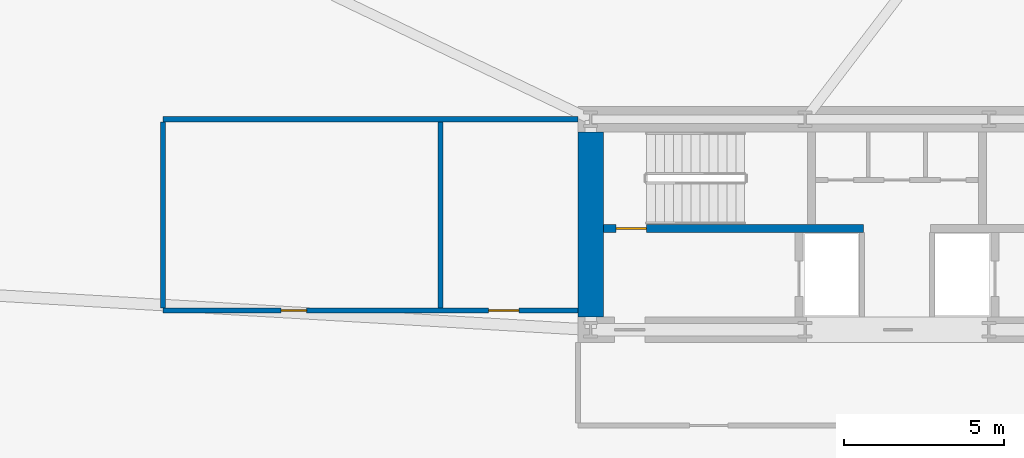
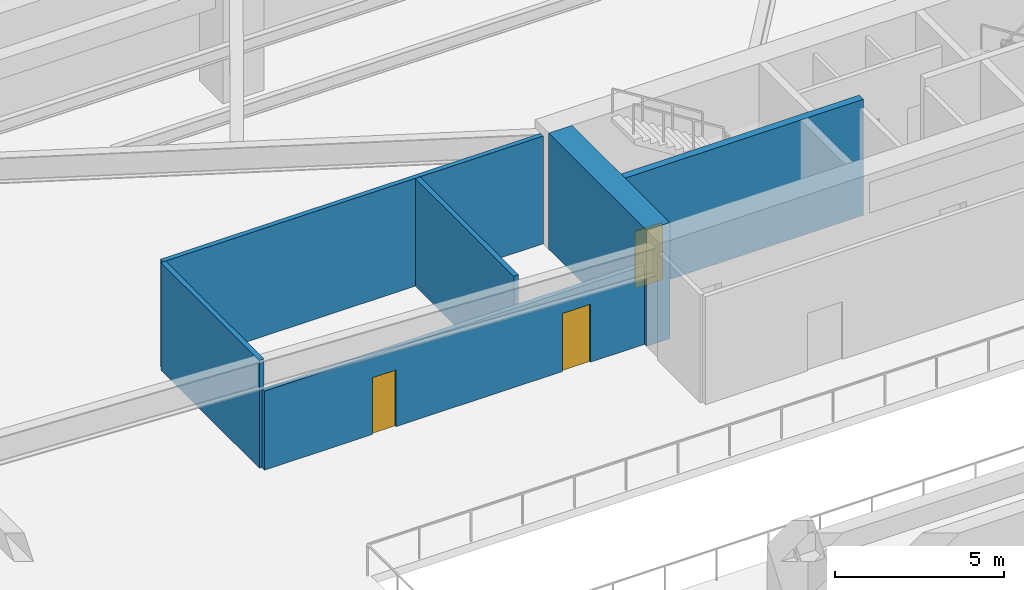
# One storey, part 2 of 7: 6 walls, 3 doors, 3 openings.
"""IFC4 building model written with IfcOpenShell, lengths in metres."""

from ifc_helpers import new_model, si_unit, direction, frame, frame_2d, origin, place, context, subcontext, project, spatial, rectangle, extrude, source, transform, mapped, material, layer, layer_set, type_object, type_shapes, element, fill, save


model = new_model("IFC4")

# Units and contexts
model_context = context("Model", 3, precision=1e-05, world=origin(), true_north=direction((0.0, 1.0)))
body_context = subcontext(model_context, "Body", "Model", "MODEL_VIEW")
ifc_project = project(units=[si_unit("LENGTHUNIT", "METRE"), si_unit("AREAUNIT", "SQUARE_METRE"), si_unit("VOLUMEUNIT", "CUBIC_METRE"), si_unit("PLANEANGLEUNIT", "RADIAN"), si_unit("MASSUNIT", "GRAM", prefix="KILO")], contexts=[model_context])

# Site, building, storey
site_placement = place(None, origin())
site = spatial("IfcSite", under=ifc_project, at=site_placement, CompositionType="ELEMENT")
building_placement = place(site_placement, origin())
building = spatial("IfcBuilding", under=site, at=building_placement, Name="Astriad Promenade Condominiums", CompositionType="ELEMENT")
storey_placement = place(building_placement, frame((0.0, 0.0, -4.199951171875)))
storey = spatial("IfcBuildingStorey", under=building, at=storey_placement, Name="B01", CompositionType="ELEMENT", Elevation=-4.199951171875)

# Wall
ifc_material_1 = material(Name="Concrete C80/95", Category="concrete")
ifc_layer_1 = layer(ifc_material_1, 0.800048828125)
ifc_layer_set_1 = layer_set([ifc_layer_1], Name="Concrete C80/95")
wall_type_1 = type_object("IfcWallType", Name="CW-SHEAR-800", PredefinedType="SHEAR", material=ifc_layer_set_1)
wall_1_placement = place(storey_placement, frame((26.39990234375, 17.802001953125, 0.0), z_axis=(0.0, 0.0, 1.0), x_axis=(0.0, 1.0, 0.0)))
element("IfcWall", 1, at=wall_1_placement, inside=storey, type_object=wall_type_1, Name="CW-CORE-W-B01", PredefinedType="SHEAR", context=body_context, shape_type="SweptSolid", body=[
    extrude(rectangle(XDim=5.7958984375, YDim=0.800048828125, at=frame_2d((2.89794921875, 0.0))), origin(), (0.0, 0.0, 1.0), 4.199951171875),
])

# Wall, opening, door
ifc_material_2 = material(Name="Concrete C50/60", Category="concrete")
ifc_layer_2 = layer(ifc_material_2, 0.25)
ifc_layer_set_2 = layer_set([ifc_layer_2], Name="Concrete C50/60")
wall_type_2 = type_object("IfcWallType", Name="WALL-CORE-INT-250", PredefinedType="SOLIDWALL", material=ifc_layer_set_2)
wall_2_placement = place(storey_placement, frame((26.802001953125, 20.574951171875, 0.0), z_axis=(0.0, 0.0, 1.0), x_axis=(1.0, 0.0, 0.0)))
wall_2 = element("IfcWall", 2, at=wall_2_placement, inside=storey, type_object=wall_type_2, Name="CW-INT-H1-B01", PredefinedType="SOLIDWALL", context=body_context, shape_type="SweptSolid", body=[
    extrude(rectangle(XDim=8.14794921875, YDim=0.25, at=frame_2d((4.073974609375, 0.0))), origin(), (0.0, 0.0, 1.0), 4.199951171875),
])
opening_1_placement = place(wall_2_placement, frame((0.39794921875, 0.0, 0.0)))
opening_1 = element("IfcOpeningElement", 3, at=opening_1_placement, cuts=wall_2, Name="Opening FD90-ST-095", PredefinedType="OPENING", context=body_context, shape_type="SweptSolid", body=[
    extrude(rectangle(XDim=0.949951171875, YDim=2.06005859375, at=frame_2d((0.47509765625, 1.030029296875))), frame((0.0, 0.135009765625, 0.0), z_axis=(0.0, -1.0, 0.0), x_axis=(1.0, 0.0, 0.0)), (0.0, 0.0, 1.0), 0.27001953125),
])
ifc_material_3 = material(Name="Fire-Rated Hollow Metal Stair Door")
door_type_1 = type_object("IfcDoorType", Name="FD90-ST-095", OperationType="NOTDEFINED", PredefinedType="DOOR", material=ifc_material_3)
shared_shape_1 = source(origin(), body_context, "Body", "SweptSolid", [
    extrude(rectangle(XDim=0.949951171875, YDim=2.06005859375, at=frame_2d((0.47509765625, 1.030029296875))), frame((0.0, 0.02490234375, 0.0), z_axis=(0.0, -1.0, 0.0), x_axis=(1.0, 0.0, 0.0)), (0.0, 0.0, 1.0), 0.050048828125),
])
type_shapes(door_type_1, [shared_shape_1])
door_1_placement = place(opening_1_placement, origin())
door_1 = element("IfcDoor", 4, at=door_1_placement, inside=storey, type_object=door_type_1, Name="D-ST1-B01", OperationType="SINGLE_SWING_RIGHT", OverallHeight=2.06005859375, OverallWidth=0.949951171875, PredefinedType="DOOR", context=body_context, shape_type="MappedRepresentation", body=[
    mapped(shared_shape_1, transform((0.0, 0.0, 0.0), scale=1.0)),
])
fill(opening_1, door_1)

# Wall, openings, doors
ifc_material_4 = material(Name="Fire-Rated Gypsum Partition")
ifc_layer_3 = layer(ifc_material_4, 0.159912109375)
ifc_layer_set_3 = layer_set([ifc_layer_3], Name="Fire-Rated Gypsum Partition")
wall_type_3 = type_object("IfcWallType", Name="WALL-CORR-160", PredefinedType="PARTITIONING", material=ifc_layer_set_3)
wall_3_placement = place(storey_placement, frame((13.0, 18.0, 0.0), z_axis=(0.0, 0.0, 1.0), x_axis=(1.0, 0.0, 0.0)))
wall_3 = element("IfcWall", 5, at=wall_3_placement, inside=storey, type_object=wall_type_3, Name="PT-B01-WC-S", PredefinedType="PARTITIONING", context=body_context, shape_type="SweptSolid", body=[
    extrude(rectangle(XDim=12.998046875, YDim=0.159912109375, at=frame_2d((6.4990234375, 0.0))), origin(), (0.0, 0.0, 1.0), 2.856201171875),
])
opening_2_placement = place(wall_3_placement, frame((10.199951171875, 0.0, 0.0)))
opening_2 = element("IfcOpeningElement", 6, at=opening_2_placement, cuts=wall_3, Name="Opening D-WET-095", PredefinedType="OPENING", context=body_context, shape_type="SweptSolid", body=[
    extrude(rectangle(XDim=0.949951171875, YDim=2.10009765625, at=frame_2d((0.47509765625, 1.050048828125))), frame((0.0, 0.08984375, 0.0), z_axis=(0.0, -1.0, 0.0), x_axis=(1.0, 0.0, 0.0)), (0.0, 0.0, 1.0), 0.179931640625),
])
opening_3_placement = place(wall_3_placement, frame((3.699951171875, 0.0, 0.0)))
opening_3 = element("IfcOpeningElement", 7, at=opening_3_placement, cuts=wall_3, Name="Opening FD60-SV-080", PredefinedType="OPENING", context=body_context, shape_type="SweptSolid", body=[
    extrude(rectangle(XDim=0.800048828125, YDim=2.050048828125, at=frame_2d((0.39990234375, 1.02490234375))), frame((0.0, 0.08984375, 0.0), z_axis=(0.0, -1.0, 0.0), x_axis=(1.0, 0.0, 0.0)), (0.0, 0.0, 1.0), 0.179931640625),
])
ifc_material_5 = material(Name="Fire-Rated Riser Closet Door")
door_type_2 = type_object("IfcDoorType", Name="FD60-SV-080", OperationType="NOTDEFINED", PredefinedType="DOOR", material=ifc_material_5)
shared_shape_2 = source(origin(), body_context, "Body", "SweptSolid", [
    extrude(rectangle(XDim=0.800048828125, YDim=2.050048828125, at=frame_2d((0.39990234375, 1.02490234375))), frame((0.0, 0.02490234375, 0.0), z_axis=(0.0, -1.0, 0.0), x_axis=(1.0, 0.0, 0.0)), (0.0, 0.0, 1.0), 0.050048828125),
])
type_shapes(door_type_2, [shared_shape_2])
door_2_placement = place(opening_3_placement, origin())
door_2 = element("IfcDoor", 8, at=door_2_placement, inside=storey, type_object=door_type_2, Name="D-B01-BIK", OperationType="SINGLE_SWING_RIGHT", OverallHeight=2.050048828125, OverallWidth=0.800048828125, PredefinedType="DOOR", context=body_context, shape_type="MappedRepresentation", body=[
    mapped(shared_shape_2, transform((0.0, 0.0, 0.0), scale=1.0)),
])
fill(opening_3, door_2)
ifc_material_6 = material(Name="Accessible Restroom Timber Door", Category="wood")
door_type_3 = type_object("IfcDoorType", Name="D-WET-095", OperationType="NOTDEFINED", PredefinedType="DOOR", material=ifc_material_6)
shared_shape_3 = source(origin(), body_context, "Body", "SweptSolid", [
    extrude(rectangle(XDim=0.949951171875, YDim=2.10009765625, at=frame_2d((0.47509765625, 1.050048828125))), frame((0.0, 0.02490234375, 0.0), z_axis=(0.0, -1.0, 0.0), x_axis=(1.0, 0.0, 0.0)), (0.0, 0.0, 1.0), 0.050048828125),
])
type_shapes(door_type_3, [shared_shape_3])
door_3_placement = place(opening_2_placement, origin())
door_3 = element("IfcDoor", 9, at=door_3_placement, inside=storey, type_object=door_type_3, Name="D-B01-AWC", OperationType="SINGLE_SWING_LEFT", OverallHeight=2.10009765625, OverallWidth=0.949951171875, PredefinedType="DOOR", context=body_context, shape_type="MappedRepresentation", body=[
    mapped(shared_shape_3, transform((0.0, 0.0, 0.0), scale=1.0)),
])
fill(opening_2, door_3)

# Walls
wall_4_placement = place(storey_placement, frame((13.0, 24.0, 0.0), z_axis=(0.0, 0.0, 1.0), x_axis=(1.0, 0.0, 0.0)))
element("IfcWall", 10, at=wall_4_placement, inside=storey, type_object=wall_type_3, Name="PT-B01-WC-N", PredefinedType="PARTITIONING", context=body_context, shape_type="SweptSolid", body=[
    extrude(rectangle(XDim=13.0, YDim=0.159912109375, at=frame_2d((6.5, 0.0))), origin(), (0.0, 0.0, 1.0), 3.89990234375),
])
for number, where, z_axis, x_axis, name in (
    (11, (13.0, 18.08203125, 0.0), (0.0, 0.0, 1.0), (0.0, 1.0, 0.0), "PT-B01-WC-W"),
    (12, (21.699951171875, 18.08203125, 0.0), (0.0, 0.0, 1.0), (0.0, 1.0, 0.0), "PT-B01-WC-M"),
):
    element("IfcWall", number, at=place(storey_placement, frame(where, z_axis=z_axis, x_axis=x_axis)), inside=storey, type_object=wall_type_3, Name=name, PredefinedType="PARTITIONING", context=body_context, shape_type="SweptSolid", body=[
        extrude(rectangle(XDim=5.8359375, YDim=0.159912109375, at=frame_2d((2.91796875, 0.0))), origin(), (0.0, 0.0, 1.0), 3.89990234375),
    ])

save(model, "model.ifc")
